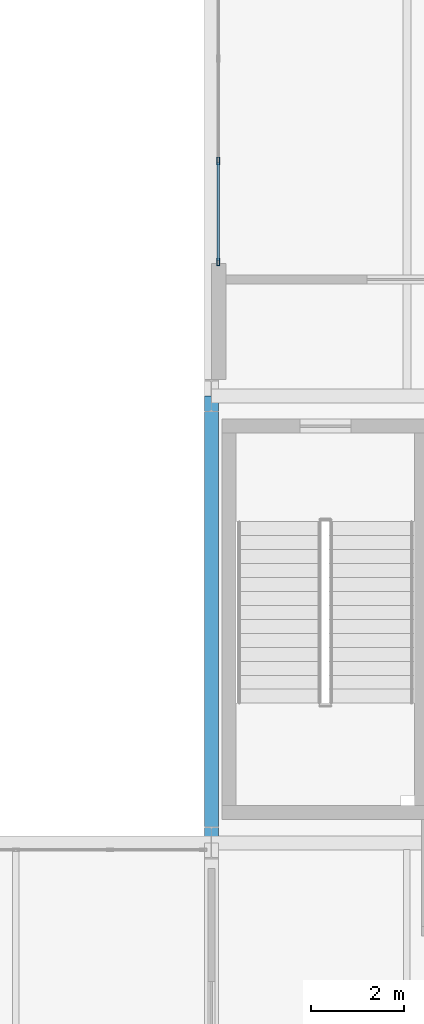
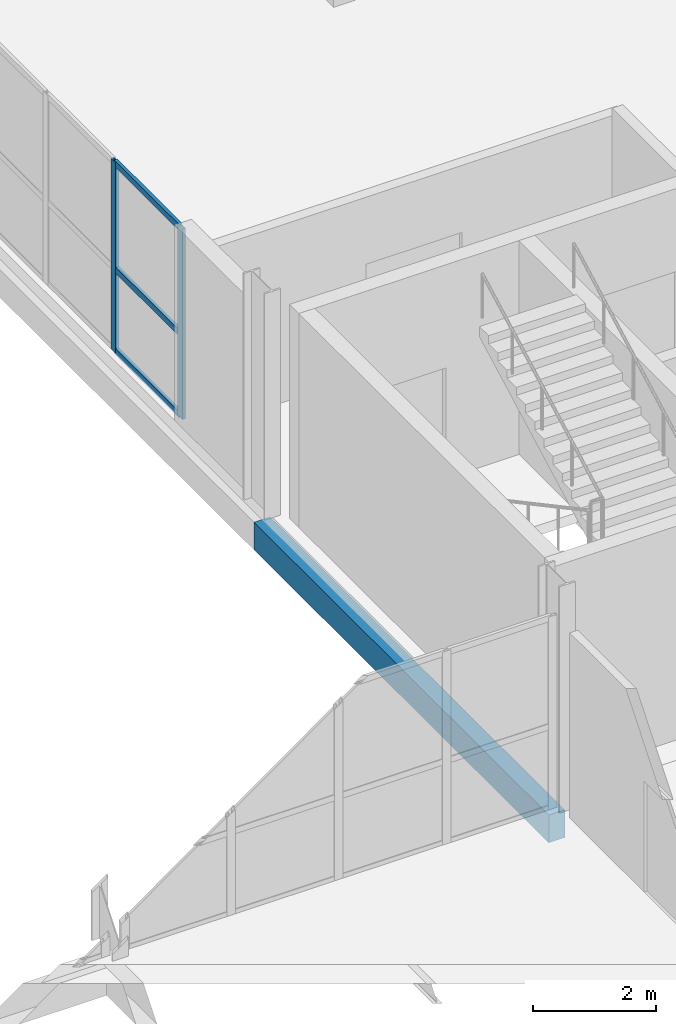
# One storey, part 44 of 113: 5 members, 1 beam, 1 element without a shape of its own.
"""IFC4 building model written with IfcOpenShell, lengths in metres."""

from ifc_helpers import new_model, si_unit, direction, frame, origin, origin_2d, place, context, subcontext, project, spatial, rectangle, hollow_rectangle, extrude, material, material_profile, profile_set, type_object, element, aggregate, save


model = new_model("IFC4")

# Units and contexts
model_context = context("Model", 3, precision=1e-05, world=origin(), true_north=direction((0.0, 1.0)))
body_context = subcontext(model_context, "Body", "Model", "MODEL_VIEW")
ifc_project = project(units=[si_unit("LENGTHUNIT", "METRE"), si_unit("AREAUNIT", "SQUARE_METRE"), si_unit("VOLUMEUNIT", "CUBIC_METRE"), si_unit("PLANEANGLEUNIT", "RADIAN"), si_unit("MASSUNIT", "GRAM", prefix="KILO")], contexts=[model_context])

# Site, building, storey
site_placement = place(None, origin())
site = spatial("IfcSite", under=ifc_project, at=site_placement, CompositionType="ELEMENT")
building_placement = place(site_placement, origin())
building = spatial("IfcBuilding", under=site, at=building_placement, Name="Veltarok Museum of Natural Sciences", CompositionType="ELEMENT")
storey_placement = place(building_placement, frame((0.0, 0.0, 8.39990234375)))
storey = spatial("IfcBuildingStorey", under=building, at=storey_placement, Name="L01", CompositionType="ELEMENT", Elevation=8.39990234375)

# Curtain wall, members
ifc_material_1 = material(Name="Low-iron triple insulated glass", Category="glass")
curtain_wall_type = type_object("IfcCurtainWallType", Name="Curtain Wall System CW-V5CW-L01-2-880x378 (CW-V5CW L01 880x378cm)", PredefinedType="NOTDEFINED", material=ifc_material_1)
curtain_wall_placement = place(storey_placement, origin())
curtain_wall = element("IfcCurtainWall", 1, at=curtain_wall_placement, inside=storey, type_object=curtain_wall_type, Name="Curtain Wall CW-V5CW-L01-2-880x378 CW-0174", PredefinedType="NOTDEFINED")
ifc_material_2 = material(Name="Thermally broken anodised aluminium", Category="aluminium")
ifc_material_profile_1 = material_profile(ifc_material_2, hollow_rectangle(XDim=0.06005859375, YDim=0.1201171875, WallThickness=0.0048828125, at=origin_2d()), Name="CW TRANSOM 60x120x5")
ifc_profile_set_1 = profile_set([ifc_material_profile_1], Name="Thermally broken anodised aluminium")
member_type_1 = type_object("IfcMemberType", Name="Curtain Wall Horizontal Transom 60x120x5", PredefinedType="USERDEFINED", material=ifc_profile_set_1)
member_1_placement = place(storey_placement, frame((132.550048828125, 38.909912109375, 0.028076171875), z_axis=(0.0, 1.0, 0.0), x_axis=(-1.0, 0.0, 0.0)))
member_1 = element("IfcMember", 2, at=member_1_placement, type_object=member_type_1, Name="CW-V5CW-L01-2-880x378 transom 1.1", ObjectType="TRANSOM", PredefinedType="USERDEFINED", context=body_context, shape_type="SweptSolid", body=[
    extrude(hollow_rectangle(XDim=0.06005859375, YDim=0.1201171875, WallThickness=0.0048828125, at=origin_2d()), origin(), (0.0, 0.0, 1.0), 2.110107421875),
])
member_2_placement = place(storey_placement, frame((132.550048828125, 38.909912109375, 1.648193359375), z_axis=(0.0, 1.0, 0.0), x_axis=(-1.0, 0.0, 0.0)))
member_2 = element("IfcMember", 3, at=member_2_placement, type_object=member_type_1, Name="CW-V5CW-L01-2-880x378 transom 1.2", ObjectType="TRANSOM", PredefinedType="USERDEFINED", context=body_context, shape_type="SweptSolid", body=[
    extrude(hollow_rectangle(XDim=0.06005859375, YDim=0.1201171875, WallThickness=0.0048828125, at=origin_2d()), origin(), (0.0, 0.0, 1.0), 2.110107421875),
])
member_3_placement = place(storey_placement, frame((132.550048828125, 38.909912109375, 3.75), z_axis=(0.0, 1.0, 0.0), x_axis=(-1.0, 0.0, 0.0)))
member_3 = element("IfcMember", 4, at=member_3_placement, type_object=member_type_1, Name="CW-V5CW-L01-2-880x378 transom 1.3", ObjectType="TRANSOM", PredefinedType="USERDEFINED", context=body_context, shape_type="SweptSolid", body=[
    extrude(hollow_rectangle(XDim=0.06005859375, YDim=0.1201171875, WallThickness=0.0048828125, at=origin_2d()), origin(), (0.0, 0.0, 1.0), 2.110107421875),
])
ifc_material_profile_2 = material_profile(ifc_material_2, hollow_rectangle(XDim=0.06005859375, YDim=0.159912109375, WallThickness=0.0048828125, at=origin_2d()), Name="CW MULLION 60x160x5")
ifc_profile_set_2 = profile_set([ifc_material_profile_2], Name="Thermally broken anodised aluminium")
member_type_2 = type_object("IfcMemberType", Name="Curtain Wall Vertical Mullion 60x160x5", PredefinedType="MULLION", material=ifc_profile_set_2)
member_4_placement = place(storey_placement, frame((132.550048828125, 38.8798828125, -0.001953125), z_axis=(0.0, 0.0, 1.0), x_axis=(-1.0, 0.0, 0.0)))
member_4 = element("IfcMember", 5, at=member_4_placement, type_object=member_type_2, Name="CW-V5CW-L01-2-880x378 mullion 1", PredefinedType="MULLION", context=body_context, shape_type="SweptSolid", body=[
    extrude(hollow_rectangle(XDim=0.06005859375, YDim=0.159912109375, WallThickness=0.0048828125, at=origin_2d()), origin(), (0.0, 0.0, 1.0), 3.781982421875),
])
member_5_placement = place(storey_placement, frame((132.550048828125, 41.050048828125, -0.001953125), z_axis=(0.0, 0.0, 1.0), x_axis=(-1.0, 0.0, 0.0)))
member_5 = element("IfcMember", 6, at=member_5_placement, type_object=member_type_2, Name="CW-V5CW-L01-2-880x378 mullion 2", PredefinedType="MULLION", context=body_context, shape_type="SweptSolid", body=[
    extrude(hollow_rectangle(XDim=0.06005859375, YDim=0.159912109375, WallThickness=0.0048828125, at=origin_2d()), origin(), (0.0, 0.0, 1.0), 3.781982421875),
])
aggregate(curtain_wall, [member_4, member_5, member_1, member_2, member_3])

# Beam
ifc_material_3 = material(Name="Precast concrete C40/50", Category="concrete")
ifc_material_profile_3 = material_profile(ifc_material_3, rectangle(XDim=0.300048828125, YDim=0.550048828125, at=origin_2d()), Name="RC 300x550")
ifc_profile_set_3 = profile_set([ifc_material_profile_3], Name="Precast concrete C40/50")
beam_type = type_object("IfcBeamType", Name="East Wing Precast Spandrel RC 300x550", PredefinedType="SPANDREL", material=ifc_profile_set_3)
beam_placement = place(storey_placement, frame((132.39990234375, 26.39990234375, -0.52490234375), z_axis=(0.0, 1.0, 0.0), x_axis=(-1.0, 0.0, 0.0)))
element("IfcBeam", 7, at=beam_placement, inside=storey, type_object=beam_type, Name="Beam BM-SP02 L01 16/D-E", PredefinedType="SPANDREL", context=body_context, shape_type="SweptSolid", body=[
    extrude(rectangle(XDim=0.300048828125, YDim=0.550048828125, at=origin_2d()), origin(), (0.0, 0.0, 1.0), 9.60009765625),
])

save(model, "model.ifc")
